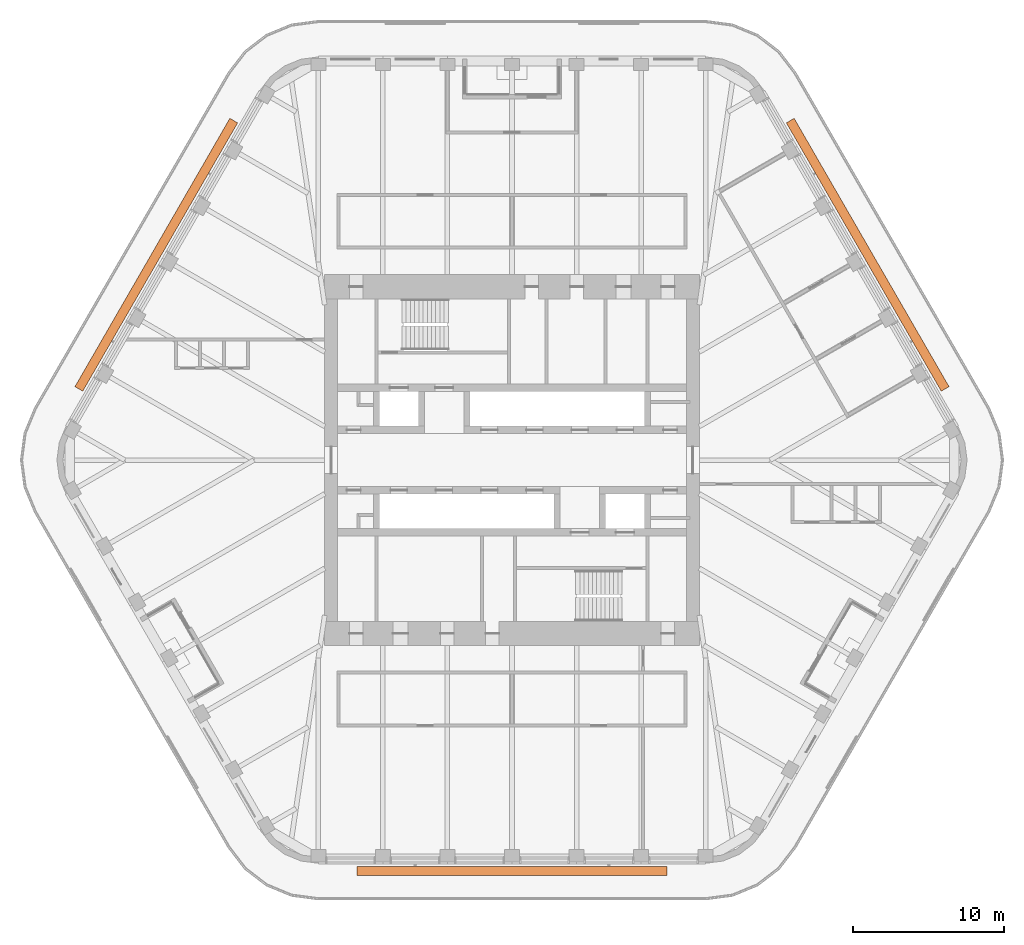
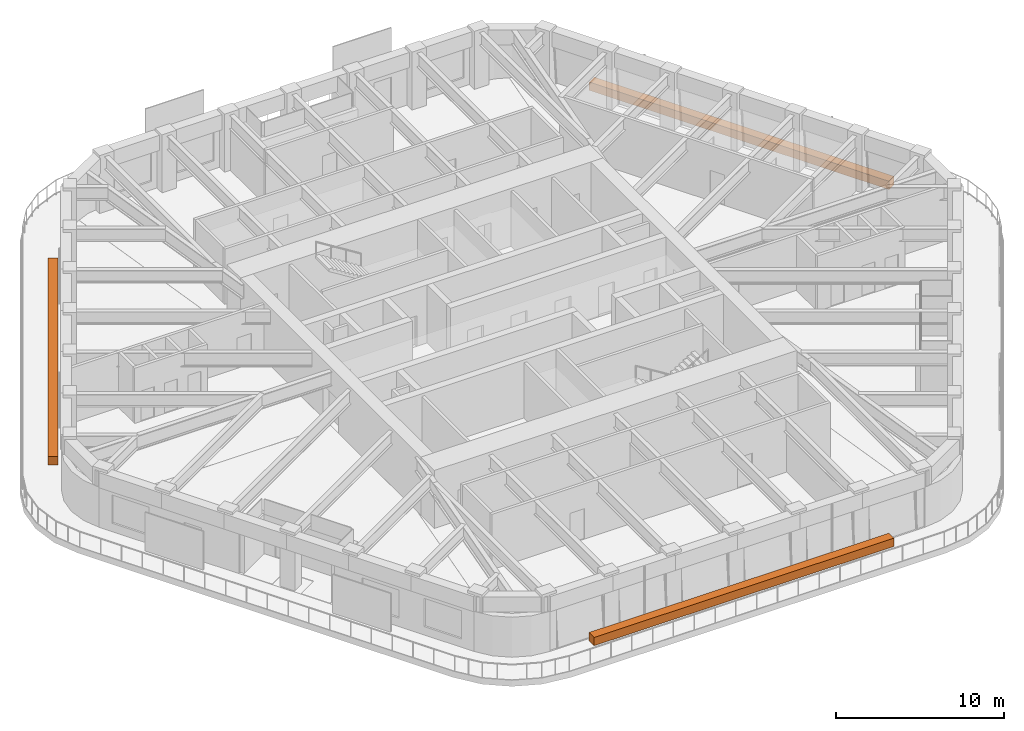
# One storey, part 19 of 19: 3 proxies.
"""IFC4 building model written with IfcOpenShell, lengths in metres."""

from ifc_helpers import new_model, si_unit, direction, frame, origin, origin_2d, place, context, subcontext, project, spatial, rectangle, extrude, material, element, save


model = new_model("IFC4")

# Units and contexts
model_context = context("Model", 3, precision=1e-05, world=origin(), true_north=direction((0.0, 1.0)))
body_context = subcontext(model_context, "Body", "Model", "MODEL_VIEW")
ifc_project = project(units=[si_unit("LENGTHUNIT", "METRE"), si_unit("AREAUNIT", "SQUARE_METRE"), si_unit("VOLUMEUNIT", "CUBIC_METRE"), si_unit("PLANEANGLEUNIT", "RADIAN"), si_unit("MASSUNIT", "GRAM", prefix="KILO")], contexts=[model_context])

# Site, building, storey
site_placement = place(None, origin())
site = spatial("IfcSite", under=ifc_project, at=site_placement, CompositionType="ELEMENT")
building_placement = place(site_placement, origin())
building = spatial("IfcBuilding", under=site, at=building_placement, Name="Tarfa Lantern Tower", CompositionType="ELEMENT")
storey_placement = place(building_placement, frame((0.0, 0.0, 349.300048828125)))
storey = spatial("IfcBuildingStorey", under=building, at=storey_placement, Name="L79", CompositionType="ELEMENT", Elevation=349.300048828125)

# Proxies
ifc_material = material(Name="Planting bed")
for number, where, z_axis, x_axis, name in (
    (1, (23.59912109375, 13.625, 0.0), (0.0, 0.0, 1.0), (-0.5, 0.866025403784, 0.0), "Balcony planter"),
    (2, (-23.59912109375, 13.625, 0.0), (0.0, 0.0, 1.0), (-0.5, -0.866025403784, 0.0), "Balcony planter"),
    (3, (0.0, -27.25, 0.0), (0.0, 0.0, 1.0), (1.0, 0.0, 0.0), "Balcony planter"),
):
    element("IfcBuildingElementProxy", number, at=place(storey_placement, frame(where, z_axis=z_axis, x_axis=x_axis)), inside=storey, material=ifc_material, Name=name, ObjectType="PLANTER", PredefinedType="USERDEFINED", context=body_context, shape_type="SweptSolid", body=[
        extrude(rectangle(XDim=20.5537109375, YDim=0.60009765625, at=origin_2d()), origin(), (0.0, 0.0, 1.0), 0.60009765625),
    ])

save(model, "model.ifc")
